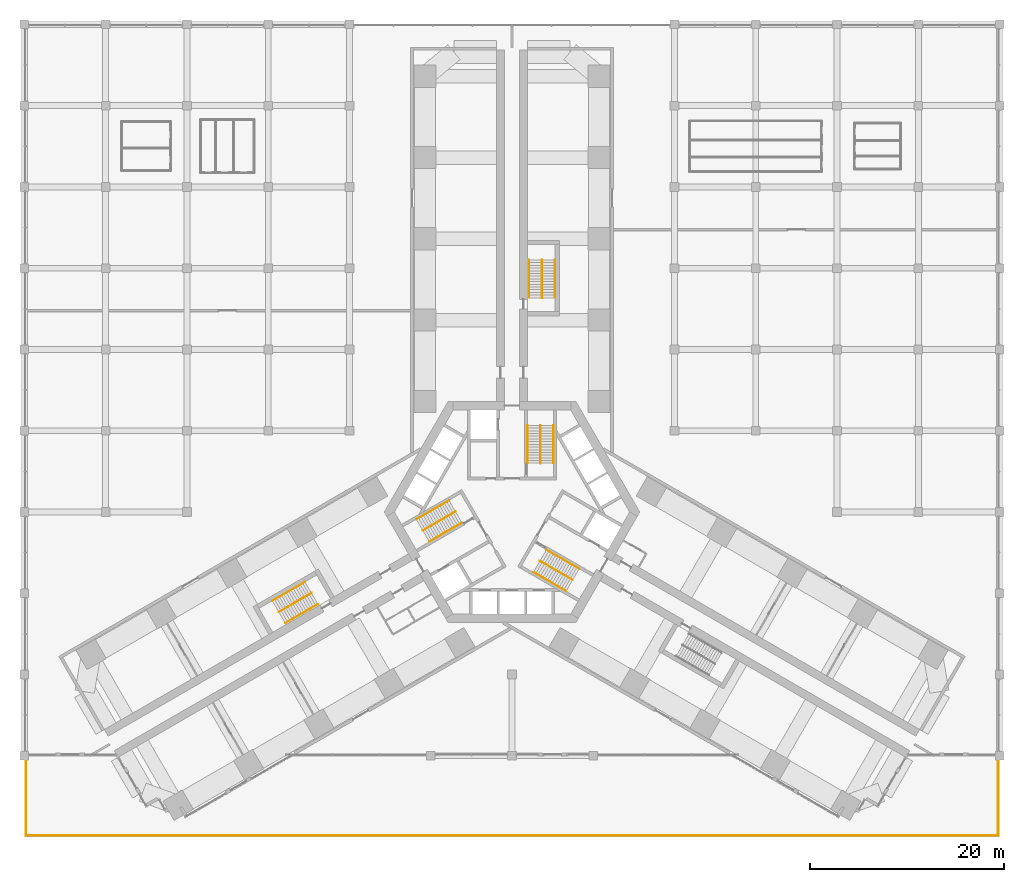
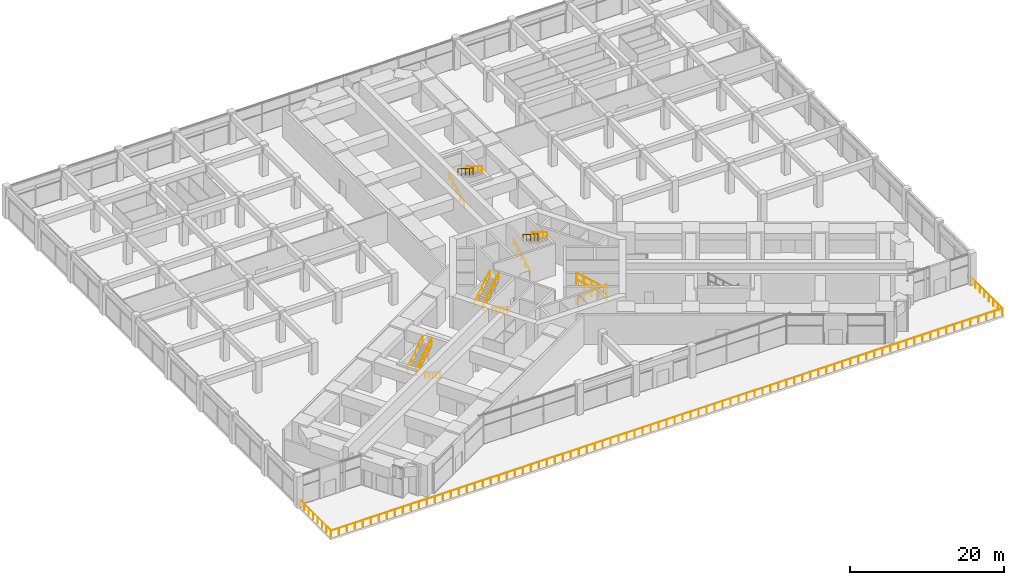
# One storey, part 33 of 34: 16 railings.
"""IFC4 building model written with IfcOpenShell, lengths in metres."""

import ifcopenshell
import ifcopenshell.guid

model = None  # the IFC model being written
_history = None  # IfcOwnerHistory: only IFC2X3 demands one
_inside = {}  # id of a spatial element -> (the spatial element, [elements in it])
_under = {}  # id of a project, library or spatial element -> (it, [spatial elements below it])
_declared = {}  # id of a project -> (the project, [libraries it declares])
_typed = {}  # id of a type object -> (the type object, [elements of that type])
_made_of = {}  # id of a material, layer set ... -> (it, [elements and type objects made of it])


def new_model(schema):
    """Start an empty IFC model of exactly this schema.

    Asked for "IFC4X3", IfcOpenShell would pick the latest addendum, in which some entities
    have other attributes; the version numbers below select the first issue.
    IFC2X3 requires an IfcOwnerHistory on every rooted entity: one is made here for all.
    """
    global model, _history
    if schema == "IFC4X3":
        model = ifcopenshell.file(schema_version=(4, 3, 0, 0))
    else:
        model = ifcopenshell.file(schema=schema)
    _inside.clear()
    _under.clear()
    _declared.clear()
    _typed.clear()
    _made_of.clear()
    _history = None
    if model.schema == "IFC2X3":
        org = make("IfcOrganization", Name="unknown")
        user = make(
            "IfcPersonAndOrganization",
            ThePerson=make("IfcPerson", FamilyName="unknown"),
            TheOrganization=org,
        )
        app = make(
            "IfcApplication",
            ApplicationDeveloper=org,
            Version="unknown",
            ApplicationFullName="unknown",
            ApplicationIdentifier="unknown",
        )
        _history = make(
            "IfcOwnerHistory",
            OwningUser=user,
            OwningApplication=app,
            ChangeAction="ADDED",
            CreationDate=0,
        )
    return model


def make(cls, **values):
    """One entity of the class cls with the attributes given. An attribute that is None is left unset."""
    return model.create_entity(
        cls, **{name: value for name, value in values.items() if value is not None}
    )


def rooted(cls, **values):
    """An entity with a GlobalId (a new one), such as an element, a storey or a relation."""
    return make(cls, GlobalId=ifcopenshell.guid.new(), OwnerHistory=_history, **values)


def si_unit(unit_type, name, prefix=None):
    """IfcSIUnit, for example si_unit("LENGTHUNIT", "METRE", prefix="MILLI")."""
    return make("IfcSIUnit", UnitType=unit_type, Prefix=prefix, Name=name)


def assignment(units):
    """IfcUnitAssignment: the units of a project."""
    return None if units is None else make("IfcUnitAssignment", Units=units)


def point(xyz):
    """IfcCartesianPoint."""
    return None if xyz is None else make("IfcCartesianPoint", Coordinates=xyz)


def direction(xyz):
    """IfcDirection."""
    return None if xyz is None else make("IfcDirection", DirectionRatios=xyz)


def frame(location, z_axis=None, x_axis=None):
    """IfcAxis2Placement3D, a coordinate frame: its origin and axes. An axis left out is left unset."""
    return make(
        "IfcAxis2Placement3D",
        Location=point(location),
        Axis=direction(z_axis),
        RefDirection=direction(x_axis),
    )


def frame_2d(location, x_axis=None):
    """IfcAxis2Placement2D, a coordinate frame in the plane: its origin and x axis."""
    return make(
        "IfcAxis2Placement2D", Location=point(location), RefDirection=direction(x_axis)
    )


def origin():
    """The frame at (0, 0, 0) with its axes left unset."""
    return frame((0.0, 0.0, 0.0))


def origin_2d():
    """The frame at (0, 0) in the plane with its x axis left unset."""
    return frame_2d((0.0, 0.0))


def place(relative_to, where):
    """IfcLocalPlacement: puts the frame where relative to a parent placement (None: the world)."""
    return make(
        "IfcLocalPlacement", PlacementRelTo=relative_to, RelativePlacement=where
    )


def context(
    kind, dimensions, precision=None, world=None, true_north=None, identifier=None
):
    """IfcGeometricRepresentationContext, for example the 3D "Model" context."""
    return make(
        "IfcGeometricRepresentationContext",
        ContextIdentifier=identifier,
        ContextType=kind,
        CoordinateSpaceDimension=dimensions,
        Precision=precision,
        WorldCoordinateSystem=world,
        TrueNorth=true_north,
    )


def subcontext(parent, identifier, kind, view, scale=None):
    """IfcGeometricRepresentationSubContext, for example "Body" below "Model"."""
    return make(
        "IfcGeometricRepresentationSubContext",
        ContextIdentifier=identifier,
        ContextType=kind,
        ParentContext=parent,
        TargetScale=scale,
        TargetView=view,
    )


def project(units=None, contexts=None):
    """IfcProject with its units and contexts."""
    return rooted(
        "IfcProject",
        Name="project",
        RepresentationContexts=contexts,
        UnitsInContext=assignment(units),
    )


def spatial(cls, under=None, at=None, **own):
    """A site, building, storey or space (cls), placed at a placement, below another one or the project."""
    s = rooted(cls, ObjectPlacement=at, **own)
    if under is not None:
        _under.setdefault(under.id(), (under, []))[1].append(s)
    return s


def profile(cls, at=None, kind="AREA", **sizes):
    """A parametric profile (cls). Its sizes go by their IFC names, for example OverallWidth=200.0."""
    return make(cls, ProfileType=kind, Position=at, **sizes)


def circle(**sizes):
    """IfcCircleProfileDef."""
    return profile("IfcCircleProfileDef", **sizes)


def extrude(swept, where, along, depth):
    """IfcExtrudedAreaSolid: the profile swept, set in the frame where, extruded along a direction by depth."""
    return make(
        "IfcExtrudedAreaSolid",
        SweptArea=swept,
        Position=where,
        ExtrudedDirection=direction(along),
        Depth=depth,
    )


def shape(context_of_items, identifier, shape_type, items):
    """IfcShapeRepresentation: the items that make up one representation, for example the "Body"."""
    return make(
        "IfcShapeRepresentation",
        ContextOfItems=context_of_items,
        RepresentationIdentifier=identifier,
        RepresentationType=shape_type,
        Items=items,
    )


def material(Name=None, Category=None):
    """IfcMaterial."""
    return make("IfcMaterial", Name=Name, Category=Category)


def made_of(thing, what):
    """Note that an element or type object is made of a material, layer set ...; save() writes the relation."""
    if what is not None:
        _made_of.setdefault(what.id(), (what, []))[1].append(thing)
    return thing


def type_object(cls, material=None, **own):
    """A type object (cls), such as IfcWallType, which elements share."""
    return made_of(rooted(cls, **own), material)


def element(
    cls,
    number,
    at=None,
    inside=None,
    cuts=None,
    type_object=None,
    material=None,
    context=None,
    identifier="Body",
    shape_type=None,
    held_by="IfcProductDefinitionShape",
    body=None,
    shapes=None,
    **own,
):
    """One element of the class cls, such as IfcWall. Its Tag is "e" and its number.

    at: its placement. inside: the storey or other place that contains it. cuts: it is an
    opening in that element (IfcRelVoidsElement). A single representation is given by context,
    identifier, shape_type and body (its items); several are given by shapes. held_by: the class
    of the entity that holds the representations. save() writes the other relations.
    """
    e = rooted(cls, Tag="e%d" % number, ObjectPlacement=at, **own)
    if body is not None:
        shapes = [shape(context, identifier, shape_type, body)]
    if shapes is not None:
        e.Representation = make(held_by, Representations=shapes)
    if inside is not None:
        _inside.setdefault(inside.id(), (inside, []))[1].append(e)
    if cuts is not None:
        rooted(
            "IfcRelVoidsElement", RelatingBuildingElement=cuts, RelatedOpeningElement=e
        )
    if type_object is not None:
        _typed.setdefault(type_object.id(), (type_object, []))[1].append(e)
    return made_of(e, material)


def aggregate(whole, parts):
    """IfcRelAggregates: a whole, such as a stair, and the parts it consists of."""
    return rooted("IfcRelAggregates", RelatingObject=whole, RelatedObjects=parts)


def save(model, path):
    """Write the relations noted so far, then the file.

    IfcRelAggregates (storeys below a building ...), IfcRelContainedInSpatialStructure (elements
    in a storey), IfcRelDefinesByType, IfcRelAssociatesMaterial and IfcRelDeclares: one each for
    every whole, place, type object, material and project.
    """
    for whole, parts in _under.values():
        aggregate(whole, parts)
    for where, things in _inside.values():
        rooted(
            "IfcRelContainedInSpatialStructure",
            RelatedElements=things,
            RelatingStructure=where,
        )
    for kind, things in _typed.values():
        rooted("IfcRelDefinesByType", RelatedObjects=things, RelatingType=kind)
    for what, things in _made_of.values():
        rooted("IfcRelAssociatesMaterial", RelatedObjects=things, RelatingMaterial=what)
    for by, libraries in _declared.values():
        rooted("IfcRelDeclares", RelatingContext=by, RelatedDefinitions=libraries)
    model.write(path)


model = new_model("IFC4")

# Units and contexts
model_context = context("Model", 3, precision=1e-05, world=origin(), true_north=direction((0.0, 1.0)))
body_context = subcontext(model_context, "Body", "Model", "MODEL_VIEW")
ifc_project = project(units=[si_unit("LENGTHUNIT", "METRE"), si_unit("AREAUNIT", "SQUARE_METRE"), si_unit("VOLUMEUNIT", "CUBIC_METRE"), si_unit("PLANEANGLEUNIT", "RADIAN"), si_unit("MASSUNIT", "GRAM", prefix="KILO")], contexts=[model_context])

# Site, building, storey
site_placement = place(None, origin())
site = spatial("IfcSite", under=ifc_project, at=site_placement, CompositionType="ELEMENT")
building_placement = place(site_placement, origin())
building = spatial("IfcBuilding", under=site, at=building_placement, Name="Impinga Residences", CompositionType="ELEMENT")
storey_placement = place(building_placement, frame((0.0, 0.0, 11.0)))
storey = spatial("IfcBuildingStorey", under=building, at=storey_placement, Name="L02", CompositionType="ELEMENT", Elevation=11.0)

# Railings
ifc_material_1 = material(Name="Steel guard, powder coated", Category="steel")
railing_type_1 = type_object("IfcRailingType", Name="GR1 stair guard 1100", PredefinedType="GUARDRAIL", material=ifc_material_1)
railing_1_placement = place(storey_placement, frame((2.949951171875, 8.949951171875, 2.5)))
element("IfcRailing", 1, at=railing_1_placement, inside=storey, type_object=railing_type_1, Name="Stair guard GR1 ST1 L02", PredefinedType="GUARDRAIL", context=body_context, shape_type="SweptSolid", body=[
    extrude(circle(Radius=0.02392578125, at=origin_2d()), frame((0.0, 0.0, 1.076171875), z_axis=(0.0, -0.843124831705, 0.537717879712), x_axis=(1.0, 0.0, 0.0)), (0.0, 0.0, 1.0), 4.649169921875),
    extrude(circle(Radius=0.02099609375, at=origin_2d()), origin(), (0.0, 0.0, 1.0), 1.052001953125),
    extrude(circle(Radius=0.02099609375, at=origin_2d()), frame((0.0, -0.97998046875, 0.625)), (0.0, 0.0, 1.0), 1.052001953125),
    extrude(circle(Radius=0.02099609375, at=origin_2d()), frame((0.0, -1.9599609375, 1.25)), (0.0, 0.0, 1.0), 1.052001953125),
    extrude(circle(Radius=0.02099609375, at=origin_2d()), frame((0.0, -2.93994140625, 1.875)), (0.0, 0.0, 1.0), 1.052001953125),
    extrude(circle(Radius=0.02099609375, at=origin_2d()), frame((0.0, -3.919921875, 2.5)), (0.0, 0.0, 1.0), 1.052001953125),
])
railing_2_placement = place(storey_placement, frame((-9.225830078125, -1.920166015625, 2.5)))
element("IfcRailing", 2, at=railing_2_placement, inside=storey, type_object=railing_type_1, Name="Stair guard GR1 ST2 L02", PredefinedType="GUARDRAIL", context=body_context, shape_type="SweptSolid", body=[
    extrude(circle(Radius=0.02392578125, at=origin_2d()), frame((0.0, 0.0, 1.076171875), z_axis=(0.730169879136, 0.421560862259, 0.537715898048), x_axis=(-0.499997407846, 0.86602690036, 0.0)), (0.0, 0.0, 1.0), 4.6494140625),
    extrude(circle(Radius=0.02099609375, at=origin_2d()), origin(), (0.0, 0.0, 1.0), 1.052001953125),
    extrude(circle(Radius=0.02099609375, at=origin_2d()), frame((0.8486328125, 0.489990234375, 0.625)), (0.0, 0.0, 1.0), 1.052001953125),
    extrude(circle(Radius=0.02099609375, at=origin_2d()), frame((1.697265625, 0.97998046875, 1.25)), (0.0, 0.0, 1.0), 1.052001953125),
    extrude(circle(Radius=0.02099609375, at=origin_2d()), frame((2.546142578125, 1.469970703125, 1.875)), (0.0, 0.0, 1.0), 1.052001953125),
    extrude(circle(Radius=0.02099609375, at=origin_2d()), frame((3.394775390625, 1.9599609375, 2.5)), (0.0, 0.0, 1.0), 1.052001953125),
])
railing_3_placement = place(storey_placement, frame((6.27587890625, -7.02978515625, 2.5)))
element("IfcRailing", 3, at=railing_3_placement, inside=storey, type_object=railing_type_1, Name="Stair guard GR1 ST3 L02", PredefinedType="GUARDRAIL", context=body_context, shape_type="SweptSolid", body=[
    extrude(circle(Radius=0.02392578125, at=origin_2d()), frame((0.0, 0.0, 1.076171875), z_axis=(-0.730169879136, 0.421560862259, 0.537715898048), x_axis=(-0.499997407846, -0.86602690036, 0.0)), (0.0, 0.0, 1.0), 4.6494140625),
    extrude(circle(Radius=0.02099609375, at=origin_2d()), origin(), (0.0, 0.0, 1.0), 1.052001953125),
    extrude(circle(Radius=0.02099609375, at=origin_2d()), frame((-0.8486328125, 0.489990234375, 0.625)), (0.0, 0.0, 1.0), 1.052001953125),
    extrude(circle(Radius=0.02099609375, at=origin_2d()), frame((-1.697265625, 0.97998046875, 1.25)), (0.0, 0.0, 1.0), 1.052001953125),
    extrude(circle(Radius=0.02099609375, at=origin_2d()), frame((-2.546142578125, 1.469970703125, 1.875)), (0.0, 0.0, 1.0), 1.052001953125),
    extrude(circle(Radius=0.02099609375, at=origin_2d()), frame((-3.394775390625, 1.9599609375, 2.5)), (0.0, 0.0, 1.0), 1.052001953125),
])
railing_4_placement = place(storey_placement, frame((3.10009765625, 26.051513671875, 2.5)))
element("IfcRailing", 4, at=railing_4_placement, inside=storey, type_object=railing_type_1, Name="Stair guard GR1 WS1 L02", PredefinedType="GUARDRAIL", context=body_context, shape_type="SweptSolid", body=[
    extrude(circle(Radius=0.02392578125, at=origin_2d()), frame((0.0, 0.0, 1.076171875), z_axis=(0.0, -0.843124831705, 0.537717879712), x_axis=(1.0, 0.0, 0.0)), (0.0, 0.0, 1.0), 4.649169921875),
    extrude(circle(Radius=0.02099609375, at=origin_2d()), origin(), (0.0, 0.0, 1.0), 1.052001953125),
    extrude(circle(Radius=0.02099609375, at=origin_2d()), frame((0.0, -0.97998046875, 0.625)), (0.0, 0.0, 1.0), 1.052001953125),
    extrude(circle(Radius=0.02099609375, at=origin_2d()), frame((0.0, -1.9599609375, 1.25)), (0.0, 0.0, 1.0), 1.052001953125),
    extrude(circle(Radius=0.02099609375, at=origin_2d()), frame((0.0, -2.93994140625, 1.875)), (0.0, 0.0, 1.0), 1.052001953125),
    extrude(circle(Radius=0.02099609375, at=origin_2d()), frame((0.0, -3.919921875, 2.5)), (0.0, 0.0, 1.0), 1.052001953125),
])
railing_5_placement = place(storey_placement, frame((-24.111328125, -10.341064453125, 2.5)))
element("IfcRailing", 5, at=railing_5_placement, inside=storey, type_object=railing_type_1, Name="Stair guard GR1 WS2 L02", PredefinedType="GUARDRAIL", context=body_context, shape_type="SweptSolid", body=[
    extrude(circle(Radius=0.02392578125, at=origin_2d()), frame((0.0, 0.0, 1.076171875), z_axis=(0.730169879136, 0.421560862259, 0.537715898048), x_axis=(-0.499997407846, 0.86602690036, 0.0)), (0.0, 0.0, 1.0), 4.6494140625),
    extrude(circle(Radius=0.02099609375, at=origin_2d()), origin(), (0.0, 0.0, 1.0), 1.052001953125),
    extrude(circle(Radius=0.02099609375, at=origin_2d()), frame((0.8486328125, 0.489990234375, 0.625)), (0.0, 0.0, 1.0), 1.052001953125),
    extrude(circle(Radius=0.02099609375, at=origin_2d()), frame((1.697265625, 0.97998046875, 1.25)), (0.0, 0.0, 1.0), 1.052001953125),
    extrude(circle(Radius=0.02099609375, at=origin_2d()), frame((2.546142578125, 1.469970703125, 1.875)), (0.0, 0.0, 1.0), 1.052001953125),
    extrude(circle(Radius=0.02099609375, at=origin_2d()), frame((3.394775390625, 1.9599609375, 2.5)), (0.0, 0.0, 1.0), 1.052001953125),
])
ifc_material_2 = material(Name="Laminated glass guard, stainless steel top rail", Category="steel")
railing_type_2 = type_object("IfcRailingType", Name="GT1 terrace guard 1100, glass infill", PredefinedType="GUARDRAIL", material=ifc_material_2)
railing_6_placement = place(storey_placement, frame((50.25, -25.35107421875, 0.0)))
element("IfcRailing", 6, at=railing_6_placement, inside=storey, type_object=railing_type_2, Name="Terrace guard GT1 L02", PredefinedType="GUARDRAIL", context=body_context, shape_type="SweptSolid", body=[
    extrude(circle(Radius=0.02392578125, at=origin_2d()), frame((0.0, 0.0, 1.076171875), z_axis=(0.0, -1.0, 0.0), x_axis=(1.0, 0.0, 0.0)), (0.0, 0.0, 1.0), 8.098876953125),
    extrude(circle(Radius=0.02392578125, at=origin_2d()), frame((0.0, -8.098876953125, 1.076171875), z_axis=(-1.0, 0.0, 0.0), x_axis=(0.0, -1.0, 0.0)), (0.0, 0.0, 1.0), 100.5),
    extrude(circle(Radius=0.02392578125, at=origin_2d()), frame((-100.5, -8.098876953125, 1.076171875), z_axis=(0.0, 1.0, 0.0), x_axis=(-1.0, 0.0, 0.0)), (0.0, 0.0, 1.0), 8.098876953125),
    extrude(circle(Radius=0.02099609375, at=origin_2d()), origin(), (0.0, 0.0, 1.0), 1.052001953125),
    extrude(circle(Radius=0.02099609375, at=origin_2d()), frame((0.0, -1.156982421875, 0.0)), (0.0, 0.0, 1.0), 1.052001953125),
    extrude(circle(Radius=0.02099609375, at=origin_2d()), frame((0.0, -2.31396484375, 0.0)), (0.0, 0.0, 1.0), 1.052001953125),
    extrude(circle(Radius=0.02099609375, at=origin_2d()), frame((0.0, -3.470947265625, 0.0)), (0.0, 0.0, 1.0), 1.052001953125),
    extrude(circle(Radius=0.02099609375, at=origin_2d()), frame((0.0, -4.6279296875, 0.0)), (0.0, 0.0, 1.0), 1.052001953125),
    extrude(circle(Radius=0.02099609375, at=origin_2d()), frame((0.0, -5.784912109375, 0.0)), (0.0, 0.0, 1.0), 1.052001953125),
    extrude(circle(Radius=0.02099609375, at=origin_2d()), frame((0.0, -6.94189453125, 0.0)), (0.0, 0.0, 1.0), 1.052001953125),
    extrude(circle(Radius=0.02099609375, at=origin_2d()), frame((0.0, -8.098876953125, 0.0)), (0.0, 0.0, 1.0), 1.052001953125),
    extrude(circle(Radius=0.02099609375, at=origin_2d()), frame((-1.196533203125, -8.098876953125, 0.0)), (0.0, 0.0, 1.0), 1.052001953125),
    extrude(circle(Radius=0.02099609375, at=origin_2d()), frame((-2.392822265625, -8.098876953125, 0.0)), (0.0, 0.0, 1.0), 1.052001953125),
    extrude(circle(Radius=0.02099609375, at=origin_2d()), frame((-3.58935546875, -8.098876953125, 0.0)), (0.0, 0.0, 1.0), 1.052001953125),
    extrude(circle(Radius=0.02099609375, at=origin_2d()), frame((-4.78564453125, -8.098876953125, 0.0)), (0.0, 0.0, 1.0), 1.052001953125),
    extrude(circle(Radius=0.02099609375, at=origin_2d()), frame((-5.982177734375, -8.098876953125, 0.0)), (0.0, 0.0, 1.0), 1.052001953125),
    extrude(circle(Radius=0.02099609375, at=origin_2d()), frame((-7.178466796875, -8.098876953125, 0.0)), (0.0, 0.0, 1.0), 1.052001953125),
    extrude(circle(Radius=0.02099609375, at=origin_2d()), frame((-8.375, -8.098876953125, 0.0)), (0.0, 0.0, 1.0), 1.052001953125),
    extrude(circle(Radius=0.02099609375, at=origin_2d()), frame((-9.571533203125, -8.098876953125, 0.0)), (0.0, 0.0, 1.0), 1.052001953125),
    extrude(circle(Radius=0.02099609375, at=origin_2d()), frame((-10.767822265625, -8.098876953125, 0.0)), (0.0, 0.0, 1.0), 1.052001953125),
    extrude(circle(Radius=0.02099609375, at=origin_2d()), frame((-11.96435546875, -8.098876953125, 0.0)), (0.0, 0.0, 1.0), 1.052001953125),
    extrude(circle(Radius=0.02099609375, at=origin_2d()), frame((-13.16064453125, -8.098876953125, 0.0)), (0.0, 0.0, 1.0), 1.052001953125),
    extrude(circle(Radius=0.02099609375, at=origin_2d()), frame((-14.357177734375, -8.098876953125, 0.0)), (0.0, 0.0, 1.0), 1.052001953125),
    extrude(circle(Radius=0.02099609375, at=origin_2d()), frame((-15.553466796875, -8.098876953125, 0.0)), (0.0, 0.0, 1.0), 1.052001953125),
    extrude(circle(Radius=0.02099609375, at=origin_2d()), frame((-16.75, -8.098876953125, 0.0)), (0.0, 0.0, 1.0), 1.052001953125),
    extrude(circle(Radius=0.02099609375, at=origin_2d()), frame((-17.946533203125, -8.098876953125, 0.0)), (0.0, 0.0, 1.0), 1.052001953125),
    extrude(circle(Radius=0.02099609375, at=origin_2d()), frame((-19.142822265625, -8.098876953125, 0.0)), (0.0, 0.0, 1.0), 1.052001953125),
    extrude(circle(Radius=0.02099609375, at=origin_2d()), frame((-20.33935546875, -8.098876953125, 0.0)), (0.0, 0.0, 1.0), 1.052001953125),
    extrude(circle(Radius=0.02099609375, at=origin_2d()), frame((-21.53564453125, -8.098876953125, 0.0)), (0.0, 0.0, 1.0), 1.052001953125),
    extrude(circle(Radius=0.02099609375, at=origin_2d()), frame((-22.732177734375, -8.098876953125, 0.0)), (0.0, 0.0, 1.0), 1.052001953125),
    extrude(circle(Radius=0.02099609375, at=origin_2d()), frame((-23.928466796875, -8.098876953125, 0.0)), (0.0, 0.0, 1.0), 1.052001953125),
    extrude(circle(Radius=0.02099609375, at=origin_2d()), frame((-25.125, -8.098876953125, 0.0)), (0.0, 0.0, 1.0), 1.052001953125),
    extrude(circle(Radius=0.02099609375, at=origin_2d()), frame((-26.321533203125, -8.098876953125, 0.0)), (0.0, 0.0, 1.0), 1.052001953125),
    extrude(circle(Radius=0.02099609375, at=origin_2d()), frame((-27.517822265625, -8.098876953125, 0.0)), (0.0, 0.0, 1.0), 1.052001953125),
    extrude(circle(Radius=0.02099609375, at=origin_2d()), frame((-28.71435546875, -8.098876953125, 0.0)), (0.0, 0.0, 1.0), 1.052001953125),
    extrude(circle(Radius=0.02099609375, at=origin_2d()), frame((-29.91064453125, -8.098876953125, 0.0)), (0.0, 0.0, 1.0), 1.052001953125),
    extrude(circle(Radius=0.02099609375, at=origin_2d()), frame((-31.107177734375, -8.098876953125, 0.0)), (0.0, 0.0, 1.0), 1.052001953125),
    extrude(circle(Radius=0.02099609375, at=origin_2d()), frame((-32.303466796875, -8.098876953125, 0.0)), (0.0, 0.0, 1.0), 1.052001953125),
    extrude(circle(Radius=0.02099609375, at=origin_2d()), frame((-33.5, -8.098876953125, 0.0)), (0.0, 0.0, 1.0), 1.052001953125),
    extrude(circle(Radius=0.02099609375, at=origin_2d()), frame((-34.696533203125, -8.098876953125, 0.0)), (0.0, 0.0, 1.0), 1.052001953125),
    extrude(circle(Radius=0.02099609375, at=origin_2d()), frame((-35.892822265625, -8.098876953125, 0.0)), (0.0, 0.0, 1.0), 1.052001953125),
    extrude(circle(Radius=0.02099609375, at=origin_2d()), frame((-37.08935546875, -8.098876953125, 0.0)), (0.0, 0.0, 1.0), 1.052001953125),
    extrude(circle(Radius=0.02099609375, at=origin_2d()), frame((-38.28564453125, -8.098876953125, 0.0)), (0.0, 0.0, 1.0), 1.052001953125),
    extrude(circle(Radius=0.02099609375, at=origin_2d()), frame((-39.482177734375, -8.098876953125, 0.0)), (0.0, 0.0, 1.0), 1.052001953125),
    extrude(circle(Radius=0.02099609375, at=origin_2d()), frame((-40.678466796875, -8.098876953125, 0.0)), (0.0, 0.0, 1.0), 1.052001953125),
    extrude(circle(Radius=0.02099609375, at=origin_2d()), frame((-41.875, -8.098876953125, 0.0)), (0.0, 0.0, 1.0), 1.052001953125),
    extrude(circle(Radius=0.02099609375, at=origin_2d()), frame((-43.071533203125, -8.098876953125, 0.0)), (0.0, 0.0, 1.0), 1.052001953125),
    extrude(circle(Radius=0.02099609375, at=origin_2d()), frame((-44.267822265625, -8.098876953125, 0.0)), (0.0, 0.0, 1.0), 1.052001953125),
    extrude(circle(Radius=0.02099609375, at=origin_2d()), frame((-45.46435546875, -8.098876953125, 0.0)), (0.0, 0.0, 1.0), 1.052001953125),
    extrude(circle(Radius=0.02099609375, at=origin_2d()), frame((-46.66064453125, -8.098876953125, 0.0)), (0.0, 0.0, 1.0), 1.052001953125),
    extrude(circle(Radius=0.02099609375, at=origin_2d()), frame((-47.857177734375, -8.098876953125, 0.0)), (0.0, 0.0, 1.0), 1.052001953125),
    extrude(circle(Radius=0.02099609375, at=origin_2d()), frame((-49.053466796875, -8.098876953125, 0.0)), (0.0, 0.0, 1.0), 1.052001953125),
    extrude(circle(Radius=0.02099609375, at=origin_2d()), frame((-50.25, -8.098876953125, 0.0)), (0.0, 0.0, 1.0), 1.052001953125),
    extrude(circle(Radius=0.02099609375, at=origin_2d()), frame((-51.446533203125, -8.098876953125, 0.0)), (0.0, 0.0, 1.0), 1.052001953125),
    extrude(circle(Radius=0.02099609375, at=origin_2d()), frame((-52.642822265625, -8.098876953125, 0.0)), (0.0, 0.0, 1.0), 1.052001953125),
    extrude(circle(Radius=0.02099609375, at=origin_2d()), frame((-53.83935546875, -8.098876953125, 0.0)), (0.0, 0.0, 1.0), 1.052001953125),
    extrude(circle(Radius=0.02099609375, at=origin_2d()), frame((-55.03564453125, -8.098876953125, 0.0)), (0.0, 0.0, 1.0), 1.052001953125),
    extrude(circle(Radius=0.02099609375, at=origin_2d()), frame((-56.232177734375, -8.098876953125, 0.0)), (0.0, 0.0, 1.0), 1.052001953125),
    extrude(circle(Radius=0.02099609375, at=origin_2d()), frame((-57.428466796875, -8.098876953125, 0.0)), (0.0, 0.0, 1.0), 1.052001953125),
    extrude(circle(Radius=0.02099609375, at=origin_2d()), frame((-58.625, -8.098876953125, 0.0)), (0.0, 0.0, 1.0), 1.052001953125),
    extrude(circle(Radius=0.02099609375, at=origin_2d()), frame((-59.821533203125, -8.098876953125, 0.0)), (0.0, 0.0, 1.0), 1.052001953125),
    extrude(circle(Radius=0.02099609375, at=origin_2d()), frame((-61.017822265625, -8.098876953125, 0.0)), (0.0, 0.0, 1.0), 1.052001953125),
    extrude(circle(Radius=0.02099609375, at=origin_2d()), frame((-62.21435546875, -8.098876953125, 0.0)), (0.0, 0.0, 1.0), 1.052001953125),
    extrude(circle(Radius=0.02099609375, at=origin_2d()), frame((-63.41064453125, -8.098876953125, 0.0)), (0.0, 0.0, 1.0), 1.052001953125),
    extrude(circle(Radius=0.02099609375, at=origin_2d()), frame((-64.607177734375, -8.098876953125, 0.0)), (0.0, 0.0, 1.0), 1.052001953125),
    extrude(circle(Radius=0.02099609375, at=origin_2d()), frame((-65.803466796875, -8.098876953125, 0.0)), (0.0, 0.0, 1.0), 1.052001953125),
    extrude(circle(Radius=0.02099609375, at=origin_2d()), frame((-67.0, -8.098876953125, 0.0)), (0.0, 0.0, 1.0), 1.052001953125),
    extrude(circle(Radius=0.02099609375, at=origin_2d()), frame((-68.196533203125, -8.098876953125, 0.0)), (0.0, 0.0, 1.0), 1.052001953125),
    extrude(circle(Radius=0.02099609375, at=origin_2d()), frame((-69.392822265625, -8.098876953125, 0.0)), (0.0, 0.0, 1.0), 1.052001953125),
    extrude(circle(Radius=0.02099609375, at=origin_2d()), frame((-70.58935546875, -8.098876953125, 0.0)), (0.0, 0.0, 1.0), 1.052001953125),
    extrude(circle(Radius=0.02099609375, at=origin_2d()), frame((-71.78564453125, -8.098876953125, 0.0)), (0.0, 0.0, 1.0), 1.052001953125),
    extrude(circle(Radius=0.02099609375, at=origin_2d()), frame((-72.982177734375, -8.098876953125, 0.0)), (0.0, 0.0, 1.0), 1.052001953125),
    extrude(circle(Radius=0.02099609375, at=origin_2d()), frame((-74.178466796875, -8.098876953125, 0.0)), (0.0, 0.0, 1.0), 1.052001953125),
    extrude(circle(Radius=0.02099609375, at=origin_2d()), frame((-75.375, -8.098876953125, 0.0)), (0.0, 0.0, 1.0), 1.052001953125),
    extrude(circle(Radius=0.02099609375, at=origin_2d()), frame((-76.571533203125, -8.098876953125, 0.0)), (0.0, 0.0, 1.0), 1.052001953125),
    extrude(circle(Radius=0.02099609375, at=origin_2d()), frame((-77.767822265625, -8.098876953125, 0.0)), (0.0, 0.0, 1.0), 1.052001953125),
    extrude(circle(Radius=0.02099609375, at=origin_2d()), frame((-78.96435546875, -8.098876953125, 0.0)), (0.0, 0.0, 1.0), 1.052001953125),
    extrude(circle(Radius=0.02099609375, at=origin_2d()), frame((-80.16064453125, -8.098876953125, 0.0)), (0.0, 0.0, 1.0), 1.052001953125),
    extrude(circle(Radius=0.02099609375, at=origin_2d()), frame((-81.357177734375, -8.098876953125, 0.0)), (0.0, 0.0, 1.0), 1.052001953125),
    extrude(circle(Radius=0.02099609375, at=origin_2d()), frame((-82.553466796875, -8.098876953125, 0.0)), (0.0, 0.0, 1.0), 1.052001953125),
    extrude(circle(Radius=0.02099609375, at=origin_2d()), frame((-83.75, -8.098876953125, 0.0)), (0.0, 0.0, 1.0), 1.052001953125),
    extrude(circle(Radius=0.02099609375, at=origin_2d()), frame((-84.946533203125, -8.098876953125, 0.0)), (0.0, 0.0, 1.0), 1.052001953125),
    extrude(circle(Radius=0.02099609375, at=origin_2d()), frame((-86.142822265625, -8.098876953125, 0.0)), (0.0, 0.0, 1.0), 1.052001953125),
    extrude(circle(Radius=0.02099609375, at=origin_2d()), frame((-87.33935546875, -8.098876953125, 0.0)), (0.0, 0.0, 1.0), 1.052001953125),
    extrude(circle(Radius=0.02099609375, at=origin_2d()), frame((-88.53564453125, -8.098876953125, 0.0)), (0.0, 0.0, 1.0), 1.052001953125),
    extrude(circle(Radius=0.02099609375, at=origin_2d()), frame((-89.732177734375, -8.098876953125, 0.0)), (0.0, 0.0, 1.0), 1.052001953125),
    extrude(circle(Radius=0.02099609375, at=origin_2d()), frame((-90.928466796875, -8.098876953125, 0.0)), (0.0, 0.0, 1.0), 1.052001953125),
    extrude(circle(Radius=0.02099609375, at=origin_2d()), frame((-92.125, -8.098876953125, 0.0)), (0.0, 0.0, 1.0), 1.052001953125),
    extrude(circle(Radius=0.02099609375, at=origin_2d()), frame((-93.321533203125, -8.098876953125, 0.0)), (0.0, 0.0, 1.0), 1.052001953125),
    extrude(circle(Radius=0.02099609375, at=origin_2d()), frame((-94.517822265625, -8.098876953125, 0.0)), (0.0, 0.0, 1.0), 1.052001953125),
    extrude(circle(Radius=0.02099609375, at=origin_2d()), frame((-95.71435546875, -8.098876953125, 0.0)), (0.0, 0.0, 1.0), 1.052001953125),
    extrude(circle(Radius=0.02099609375, at=origin_2d()), frame((-96.91064453125, -8.098876953125, 0.0)), (0.0, 0.0, 1.0), 1.052001953125),
    extrude(circle(Radius=0.02099609375, at=origin_2d()), frame((-98.107177734375, -8.098876953125, 0.0)), (0.0, 0.0, 1.0), 1.052001953125),
    extrude(circle(Radius=0.02099609375, at=origin_2d()), frame((-99.303466796875, -8.098876953125, 0.0)), (0.0, 0.0, 1.0), 1.052001953125),
    extrude(circle(Radius=0.02099609375, at=origin_2d()), frame((-100.5, -8.098876953125, 0.0)), (0.0, 0.0, 1.0), 1.052001953125),
    extrude(circle(Radius=0.02099609375, at=origin_2d()), frame((-100.5, -6.94189453125, 0.0)), (0.0, 0.0, 1.0), 1.052001953125),
    extrude(circle(Radius=0.02099609375, at=origin_2d()), frame((-100.5, -5.784912109375, 0.0)), (0.0, 0.0, 1.0), 1.052001953125),
    extrude(circle(Radius=0.02099609375, at=origin_2d()), frame((-100.5, -4.6279296875, 0.0)), (0.0, 0.0, 1.0), 1.052001953125),
    extrude(circle(Radius=0.02099609375, at=origin_2d()), frame((-100.5, -3.470947265625, 0.0)), (0.0, 0.0, 1.0), 1.052001953125),
    extrude(circle(Radius=0.02099609375, at=origin_2d()), frame((-100.5, -2.31396484375, 0.0)), (0.0, 0.0, 1.0), 1.052001953125),
    extrude(circle(Radius=0.02099609375, at=origin_2d()), frame((-100.5, -1.156982421875, 0.0)), (0.0, 0.0, 1.0), 1.052001953125),
    extrude(circle(Radius=0.02099609375, at=origin_2d()), frame((-100.5, 0.0, 0.0)), (0.0, 0.0, 1.0), 1.052001953125),
])
ifc_material_3 = material(Name="Steel handrail tube 42 mm, powder coated", Category="steel")
railing_type_3 = type_object("IfcRailingType", Name="HR1 stair handrail, 42 mm steel tube, 900 above the pitch line", PredefinedType="HANDRAIL", material=ifc_material_3)
railing_7_placement = place(storey_placement, frame((1.62109375, 5.030029296875, 0.166748046875)))
element("IfcRailing", 7, at=railing_7_placement, inside=storey, type_object=railing_type_3, Name="Stair handrail HR1 ST1 L02", PredefinedType="HANDRAIL", context=body_context, shape_type="SweptSolid", body=[
    extrude(circle(Radius=0.02099609375, at=origin_2d()), frame((0.0, 0.0, 0.87890625), z_axis=(0.0, 0.859296244711, 0.511478214419), x_axis=(-1.0, 0.0, 0.0)), (0.0, 0.0, 1.0), 4.561767578125),
    extrude(circle(Radius=0.012451171875, at=origin_2d()), origin(), (0.0, 0.0, 1.0), 0.85791015625),
    extrude(circle(Radius=0.012451171875, at=origin_2d()), frame((0.0, 0.97998046875, 0.583251953125)), (0.0, 0.0, 1.0), 0.85791015625),
    extrude(circle(Radius=0.012451171875, at=origin_2d()), frame((0.0, 1.9599609375, 1.16650390625)), (0.0, 0.0, 1.0), 0.85791015625),
    extrude(circle(Radius=0.012451171875, at=origin_2d()), frame((0.0, 2.93994140625, 1.75)), (0.0, 0.0, 1.0), 0.85791015625),
    extrude(circle(Radius=0.012451171875, at=origin_2d()), frame((0.0, 3.919921875, 2.333251953125)), (0.0, 0.0, 1.0), 0.85791015625),
])
railing_8_placement = place(storey_placement, frame((4.279052734375, 8.949951171875, 2.666748046875)))
element("IfcRailing", 8, at=railing_8_placement, inside=storey, type_object=railing_type_3, Name="Stair handrail HR1 ST1 L02", PredefinedType="HANDRAIL", context=body_context, shape_type="SweptSolid", body=[
    extrude(circle(Radius=0.02099609375, at=origin_2d()), frame((0.0, 0.0, 0.87890625), z_axis=(0.0, -0.859296244711, 0.511478214419), x_axis=(1.0, 0.0, 0.0)), (0.0, 0.0, 1.0), 4.561767578125),
    extrude(circle(Radius=0.012451171875, at=origin_2d()), origin(), (0.0, 0.0, 1.0), 0.85791015625),
    extrude(circle(Radius=0.012451171875, at=origin_2d()), frame((0.0, -0.97998046875, 0.583251953125)), (0.0, 0.0, 1.0), 0.85791015625),
    extrude(circle(Radius=0.012451171875, at=origin_2d()), frame((0.0, -1.9599609375, 1.16650390625)), (0.0, 0.0, 1.0), 0.85791015625),
    extrude(circle(Radius=0.012451171875, at=origin_2d()), frame((0.0, -2.93994140625, 1.75)), (0.0, 0.0, 1.0), 0.85791015625),
    extrude(circle(Radius=0.012451171875, at=origin_2d()), frame((0.0, -3.919921875, 2.333251953125)), (0.0, 0.0, 1.0), 0.85791015625),
])
railing_9_placement = place(storey_placement, frame((-5.16650390625, -1.111083984375, 0.166748046875)))
element("IfcRailing", 9, at=railing_9_placement, inside=storey, type_object=railing_type_3, Name="Stair handrail HR1 ST2 L02", PredefinedType="HANDRAIL", context=body_context, shape_type="SweptSolid", body=[
    extrude(circle(Radius=0.02099609375, at=origin_2d()), frame((0.0, 0.0, 0.87890625), z_axis=(-0.744181440101, -0.429673003205, 0.511444126495), x_axis=(0.500017148795, -0.866015502696, 0.0)), (0.0, 0.0, 1.0), 4.56201171875),
    extrude(circle(Radius=0.012451171875, at=origin_2d()), origin(), (0.0, 0.0, 1.0), 0.85791015625),
    extrude(circle(Radius=0.012451171875, at=origin_2d()), frame((-0.8486328125, -0.489990234375, 0.583251953125)), (0.0, 0.0, 1.0), 0.85791015625),
    extrude(circle(Radius=0.012451171875, at=origin_2d()), frame((-1.697509765625, -0.97998046875, 1.16650390625)), (0.0, 0.0, 1.0), 0.85791015625),
    extrude(circle(Radius=0.012451171875, at=origin_2d()), frame((-2.54638671875, -1.47021484375, 1.75)), (0.0, 0.0, 1.0), 0.85791015625),
    extrude(circle(Radius=0.012451171875, at=origin_2d()), frame((-3.39501953125, -1.960205078125, 2.333251953125)), (0.0, 0.0, 1.0), 0.85791015625),
])
railing_10_placement = place(storey_placement, frame((-9.890380859375, -0.769287109375, 2.666748046875)))
element("IfcRailing", 10, at=railing_10_placement, inside=storey, type_object=railing_type_3, Name="Stair handrail HR1 ST2 L02", PredefinedType="HANDRAIL", context=body_context, shape_type="SweptSolid", body=[
    extrude(circle(Radius=0.02099609375, at=origin_2d()), frame((0.0, 0.0, 0.87890625), z_axis=(0.744174672596, 0.429646477641, 0.511476256455), x_axis=(-0.499997407846, 0.86602690036, 0.0)), (0.0, 0.0, 1.0), 4.561767578125),
    extrude(circle(Radius=0.012451171875, at=origin_2d()), origin(), (0.0, 0.0, 1.0), 0.85791015625),
    extrude(circle(Radius=0.012451171875, at=origin_2d()), frame((0.8486328125, 0.489990234375, 0.583251953125)), (0.0, 0.0, 1.0), 0.85791015625),
    extrude(circle(Radius=0.012451171875, at=origin_2d()), frame((1.697265625, 0.97998046875, 1.16650390625)), (0.0, 0.0, 1.0), 0.85791015625),
    extrude(circle(Radius=0.012451171875, at=origin_2d()), frame((2.546142578125, 1.469970703125, 1.75)), (0.0, 0.0, 1.0), 0.85791015625),
    extrude(circle(Radius=0.012451171875, at=origin_2d()), frame((3.394775390625, 1.9599609375, 2.333251953125)), (0.0, 0.0, 1.0), 0.85791015625),
])
railing_11_placement = place(storey_placement, frame((3.545654296875, -3.9189453125, 0.166748046875)))
element("IfcRailing", 11, at=railing_11_placement, inside=storey, type_object=railing_type_3, Name="Stair handrail HR1 ST3 L02", PredefinedType="HANDRAIL", context=body_context, shape_type="SweptSolid", body=[
    extrude(circle(Radius=0.02099609375, at=origin_2d()), frame((0.0, 0.0, 0.87890625), z_axis=(0.744174672596, -0.429646477641, 0.511476256455), x_axis=(0.499997407846, 0.86602690036, 0.0)), (0.0, 0.0, 1.0), 4.561767578125),
    extrude(circle(Radius=0.012451171875, at=origin_2d()), origin(), (0.0, 0.0, 1.0), 0.85791015625),
    extrude(circle(Radius=0.012451171875, at=origin_2d()), frame((0.8486328125, -0.489990234375, 0.583251953125)), (0.0, 0.0, 1.0), 0.85791015625),
    extrude(circle(Radius=0.012451171875, at=origin_2d()), frame((1.697265625, -0.97998046875, 1.16650390625)), (0.0, 0.0, 1.0), 0.85791015625),
    extrude(circle(Radius=0.012451171875, at=origin_2d()), frame((2.546142578125, -1.469970703125, 1.75)), (0.0, 0.0, 1.0), 0.85791015625),
    extrude(circle(Radius=0.012451171875, at=origin_2d()), frame((3.394775390625, -1.9599609375, 2.333251953125)), (0.0, 0.0, 1.0), 0.85791015625),
])
railing_12_placement = place(storey_placement, frame((5.611328125, -8.1806640625, 2.666748046875)))
element("IfcRailing", 12, at=railing_12_placement, inside=storey, type_object=railing_type_3, Name="Stair handrail HR1 ST3 L02", PredefinedType="HANDRAIL", context=body_context, shape_type="SweptSolid", body=[
    extrude(circle(Radius=0.02099609375, at=origin_2d()), frame((0.0, 0.0, 0.87890625), z_axis=(-0.744174672596, 0.429646477641, 0.511476256455), x_axis=(-0.499997407846, -0.86602690036, 0.0)), (0.0, 0.0, 1.0), 4.561767578125),
    extrude(circle(Radius=0.012451171875, at=origin_2d()), origin(), (0.0, 0.0, 1.0), 0.85791015625),
    extrude(circle(Radius=0.012451171875, at=origin_2d()), frame((-0.8486328125, 0.489990234375, 0.583251953125)), (0.0, 0.0, 1.0), 0.85791015625),
    extrude(circle(Radius=0.012451171875, at=origin_2d()), frame((-1.697265625, 0.97998046875, 1.16650390625)), (0.0, 0.0, 1.0), 0.85791015625),
    extrude(circle(Radius=0.012451171875, at=origin_2d()), frame((-2.546142578125, 1.469970703125, 1.75)), (0.0, 0.0, 1.0), 0.85791015625),
    extrude(circle(Radius=0.012451171875, at=origin_2d()), frame((-3.394775390625, 1.9599609375, 2.333251953125)), (0.0, 0.0, 1.0), 0.85791015625),
])
railing_13_placement = place(storey_placement, frame((1.77099609375, 22.131591796875, 0.166748046875)))
element("IfcRailing", 13, at=railing_13_placement, inside=storey, type_object=railing_type_3, Name="Stair handrail HR1 WS1 L02", PredefinedType="HANDRAIL", context=body_context, shape_type="SweptSolid", body=[
    extrude(circle(Radius=0.02099609375, at=origin_2d()), frame((0.0, 0.0, 0.87890625), z_axis=(0.0, 0.859296244711, 0.511478214419), x_axis=(-1.0, 0.0, 0.0)), (0.0, 0.0, 1.0), 4.561767578125),
    extrude(circle(Radius=0.012451171875, at=origin_2d()), origin(), (0.0, 0.0, 1.0), 0.85791015625),
    extrude(circle(Radius=0.012451171875, at=origin_2d()), frame((0.0, 0.97998046875, 0.583251953125)), (0.0, 0.0, 1.0), 0.85791015625),
    extrude(circle(Radius=0.012451171875, at=origin_2d()), frame((0.0, 1.9599609375, 1.16650390625)), (0.0, 0.0, 1.0), 0.85791015625),
    extrude(circle(Radius=0.012451171875, at=origin_2d()), frame((0.0, 2.93994140625, 1.75)), (0.0, 0.0, 1.0), 0.85791015625),
    extrude(circle(Radius=0.012451171875, at=origin_2d()), frame((0.0, 3.919921875, 2.333251953125)), (0.0, 0.0, 1.0), 0.85791015625),
])
railing_14_placement = place(storey_placement, frame((4.428955078125, 26.051513671875, 2.666748046875)))
element("IfcRailing", 14, at=railing_14_placement, inside=storey, type_object=railing_type_3, Name="Stair handrail HR1 WS1 L02", PredefinedType="HANDRAIL", context=body_context, shape_type="SweptSolid", body=[
    extrude(circle(Radius=0.02099609375, at=origin_2d()), frame((0.0, 0.0, 0.87890625), z_axis=(0.0, -0.859296244711, 0.511478214419), x_axis=(1.0, 0.0, 0.0)), (0.0, 0.0, 1.0), 4.561767578125),
    extrude(circle(Radius=0.012451171875, at=origin_2d()), origin(), (0.0, 0.0, 1.0), 0.85791015625),
    extrude(circle(Radius=0.012451171875, at=origin_2d()), frame((0.0, -0.97998046875, 0.583251953125)), (0.0, 0.0, 1.0), 0.85791015625),
    extrude(circle(Radius=0.012451171875, at=origin_2d()), frame((0.0, -1.9599609375, 1.16650390625)), (0.0, 0.0, 1.0), 0.85791015625),
    extrude(circle(Radius=0.012451171875, at=origin_2d()), frame((0.0, -2.93994140625, 1.75)), (0.0, 0.0, 1.0), 0.85791015625),
    extrude(circle(Radius=0.012451171875, at=origin_2d()), frame((0.0, -3.919921875, 2.333251953125)), (0.0, 0.0, 1.0), 0.85791015625),
])
railing_15_placement = place(storey_placement, frame((-20.052001953125, -9.531982421875, 0.166748046875)))
element("IfcRailing", 15, at=railing_15_placement, inside=storey, type_object=railing_type_3, Name="Stair handrail HR1 WS2 L02", PredefinedType="HANDRAIL", context=body_context, shape_type="SweptSolid", body=[
    extrude(circle(Radius=0.02099609375, at=origin_2d()), frame((0.0, 0.0, 0.87890625), z_axis=(-0.744174672596, -0.429646477641, 0.511476256455), x_axis=(0.499997407846, -0.86602690036, 0.0)), (0.0, 0.0, 1.0), 4.561767578125),
    extrude(circle(Radius=0.012451171875, at=origin_2d()), origin(), (0.0, 0.0, 1.0), 0.85791015625),
    extrude(circle(Radius=0.012451171875, at=origin_2d()), frame((-0.8486328125, -0.489990234375, 0.583251953125)), (0.0, 0.0, 1.0), 0.85791015625),
    extrude(circle(Radius=0.012451171875, at=origin_2d()), frame((-1.697265625, -0.97998046875, 1.16650390625)), (0.0, 0.0, 1.0), 0.85791015625),
    extrude(circle(Radius=0.012451171875, at=origin_2d()), frame((-2.546142578125, -1.469970703125, 1.75)), (0.0, 0.0, 1.0), 0.85791015625),
    extrude(circle(Radius=0.012451171875, at=origin_2d()), frame((-3.394775390625, -1.9599609375, 2.333251953125)), (0.0, 0.0, 1.0), 0.85791015625),
])
railing_16_placement = place(storey_placement, frame((-24.77587890625, -9.190185546875, 2.666748046875)))
element("IfcRailing", 16, at=railing_16_placement, inside=storey, type_object=railing_type_3, Name="Stair handrail HR1 WS2 L02", PredefinedType="HANDRAIL", context=body_context, shape_type="SweptSolid", body=[
    extrude(circle(Radius=0.02099609375, at=origin_2d()), frame((0.0, 0.0, 0.87890625), z_axis=(0.744198551339, 0.429629366471, 0.511455886319), x_axis=(-0.499970440388, 0.866042469362, 0.0)), (0.0, 0.0, 1.0), 4.56201171875),
    extrude(circle(Radius=0.012451171875, at=origin_2d()), origin(), (0.0, 0.0, 1.0), 0.85791015625),
    extrude(circle(Radius=0.012451171875, at=origin_2d()), frame((0.8486328125, 0.489990234375, 0.583251953125)), (0.0, 0.0, 1.0), 0.85791015625),
    extrude(circle(Radius=0.012451171875, at=origin_2d()), frame((1.697509765625, 0.97998046875, 1.16650390625)), (0.0, 0.0, 1.0), 0.85791015625),
    extrude(circle(Radius=0.012451171875, at=origin_2d()), frame((2.54638671875, 1.469970703125, 1.75)), (0.0, 0.0, 1.0), 0.85791015625),
    extrude(circle(Radius=0.012451171875, at=origin_2d()), frame((3.39501953125, 1.9599609375, 2.333251953125)), (0.0, 0.0, 1.0), 0.85791015625),
])

save(model, "model.ifc")
